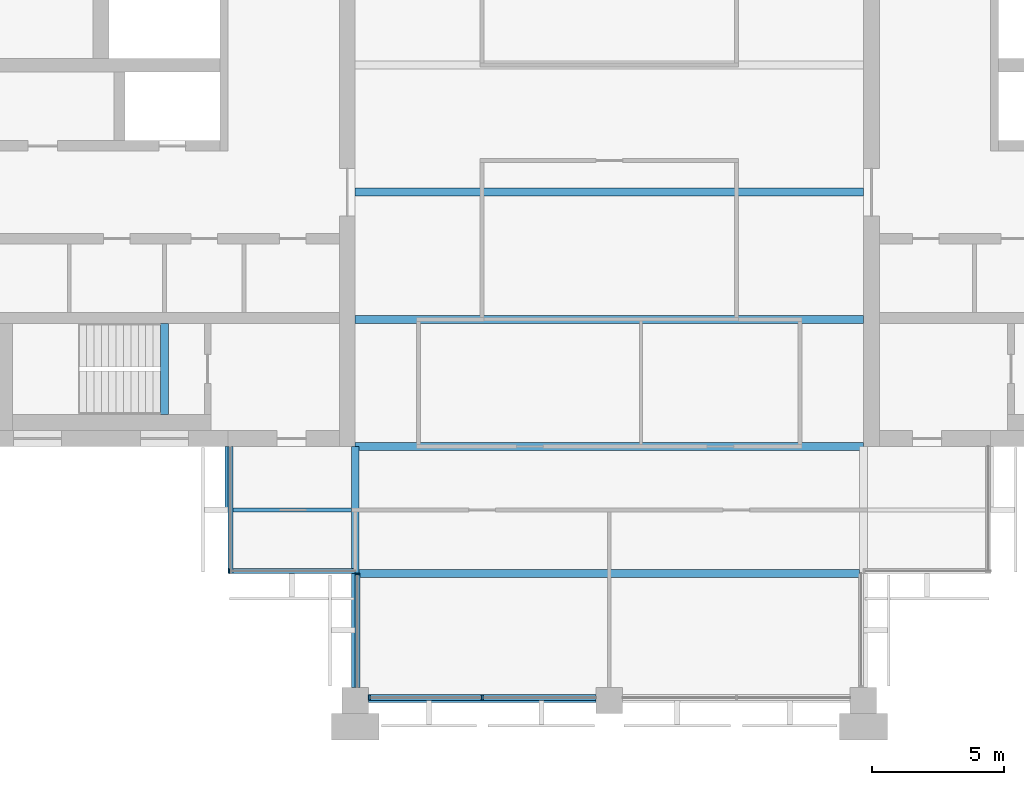
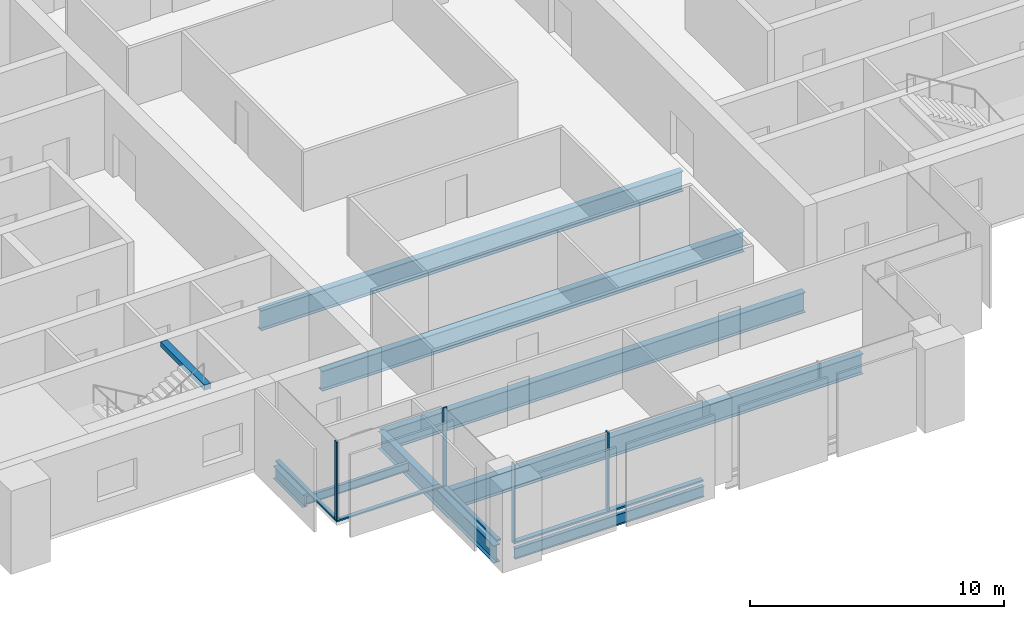
# One storey, part 2 of 13: 9 beams, 8 members, 4 elements without a shape of their own.
"""IFC4 building model written with IfcOpenShell, lengths in metres."""

from ifc_helpers import new_model, si_unit, direction, frame, origin, origin_2d, place, context, subcontext, project, spatial, rectangle, i_section, extrude, material, material_profile, profile_set, type_object, element, aggregate, save


model = new_model("IFC4")

# Units and contexts
model_context = context("Model", 3, precision=1e-05, world=origin(), true_north=direction((0.0, 1.0)))
body_context = subcontext(model_context, "Body", "Model", "MODEL_VIEW")
ifc_project = project(units=[si_unit("LENGTHUNIT", "METRE"), si_unit("AREAUNIT", "SQUARE_METRE"), si_unit("VOLUMEUNIT", "CUBIC_METRE"), si_unit("PLANEANGLEUNIT", "RADIAN"), si_unit("MASSUNIT", "GRAM", prefix="KILO")], contexts=[model_context])

# Site, building, storey
site_placement = place(None, origin())
site = spatial("IfcSite", under=ifc_project, at=site_placement, CompositionType="ELEMENT")
building_placement = place(site_placement, origin())
building = spatial("IfcBuilding", under=site, at=building_placement, Name="Baori Bourse Tower", CompositionType="ELEMENT")
storey_placement = place(building_placement, frame((0.0, 0.0, 346.300048828125)))
storey = spatial("IfcBuildingStorey", under=building, at=storey_placement, Name="L77", CompositionType="ELEMENT", Elevation=346.300048828125)

# Curtain wall, member
ifc_material_1 = material(Name="Pale anodised aluminium", Category="aluminium")
curtain_wall_type_1 = type_object("IfcCurtainWallType", Name="CW2 Curtain wall", PredefinedType="NOTDEFINED", material=ifc_material_1)
curtain_wall_1_placement = place(storey_placement, origin())
curtain_wall_1 = element("IfcCurtainWall", 1, at=curtain_wall_1_placement, inside=storey, type_object=curtain_wall_type_1, Name="Curtain wall CW2 L77 9", PredefinedType="NOTDEFINED")
ifc_material_2 = material(Name="Pale anodised aluminium", Category="aluminium")
ifc_material_profile_1 = material_profile(ifc_material_2, rectangle(XDim=0.179931640625, YDim=0.054931640625, at=origin_2d()), Name="Mullion 55x180")
ifc_profile_set_1 = profile_set([ifc_material_profile_1], Name="Pale anodised aluminium")
member_type_1 = type_object("IfcMemberType", Name="CW2 Curtain wall mullion", PredefinedType="MULLION", material=ifc_profile_set_1)
member_1_placement = place(storey_placement, frame((14.427490234375, 4.889892578125, 0.070068359375), z_axis=(0.0, 0.0, 1.0), x_axis=(0.0, 1.0, 0.0)))
member_1 = element("IfcMember", 2, at=member_1_placement, type_object=member_type_1, Name="Curtain wall CW2 mullion", PredefinedType="MULLION", context=body_context, shape_type="SweptSolid", body=[
    extrude(rectangle(XDim=0.179931640625, YDim=0.054931640625, at=origin_2d()), origin(), (0.0, 0.0, 1.0), 3.769775390625),
])

curtain_wall_2_placement = place(storey_placement, origin())
curtain_wall_2 = element("IfcCurtainWall", 3, at=curtain_wall_2_placement, inside=storey, type_object=curtain_wall_type_1, Name="Curtain wall CW2 L77 10", PredefinedType="NOTDEFINED")
member_2_placement = place(storey_placement, frame((19.2900390625, 4.7724609375, 0.070068359375), z_axis=(0.0, 0.0, 1.0), x_axis=(1.0, 0.0, 0.0)))
member_2 = element("IfcMember", 4, at=member_2_placement, type_object=member_type_1, Name="Curtain wall CW2 mullion", PredefinedType="MULLION", context=body_context, shape_type="SweptSolid", body=[
    extrude(rectangle(XDim=0.179931640625, YDim=0.054931640625, at=origin_2d()), origin(), (0.0, 0.0, 1.0), 3.769775390625),
])

curtain_wall_3_placement = place(storey_placement, origin())
curtain_wall_3 = element("IfcCurtainWall", 5, at=curtain_wall_3_placement, inside=storey, type_object=curtain_wall_type_1, Name="Curtain wall CW2 L77 8", PredefinedType="NOTDEFINED")
ifc_material_3 = material(Name="Pale anodised aluminium", Category="aluminium")
ifc_material_profile_2 = material_profile(ifc_material_3, rectangle(XDim=0.179931640625, YDim=0.070068359375, at=origin_2d()), Name="Transom 70x180")
ifc_profile_set_2 = profile_set([ifc_material_profile_2], Name="Pale anodised aluminium")
member_type_2 = type_object("IfcMemberType", Name="CW2 Curtain wall transom", PredefinedType="USERDEFINED", material=ifc_profile_set_2)
member_3_placement = place(storey_placement, frame((14.489990234375, 9.60009765625, 0.034912109375), z_axis=(0.0, -1.0, 0.0), x_axis=(1.0, 0.0, 0.0)))
member_3 = element("IfcMember", 6, at=member_3_placement, type_object=member_type_2, Name="Curtain wall CW2 sill rail", ObjectType="TRANSOM", PredefinedType="USERDEFINED", context=body_context, shape_type="SweptSolid", body=[
    extrude(rectangle(XDim=0.179931640625, YDim=0.070068359375, at=origin_2d()), origin(), (0.0, 0.0, 1.0), 4.800048828125),
])
aggregate(curtain_wall_3, [member_3])

# Member
member_4_placement = place(storey_placement, frame((14.39990234375, 4.889892578125, 0.034912109375), z_axis=(1.0, 0.0, 0.0), x_axis=(0.0, 1.0, 0.0)))
member_4 = element("IfcMember", 7, at=member_4_placement, type_object=member_type_2, Name="Curtain wall CW2 sill rail", ObjectType="TRANSOM", PredefinedType="USERDEFINED", context=body_context, shape_type="SweptSolid", body=[
    extrude(rectangle(XDim=0.179931640625, YDim=0.070068359375, at=origin_2d()), origin(), (0.0, 0.0, 1.0), 4.800048828125),
])

aggregate(curtain_wall_1, [member_4, member_1])

member_5_placement = place(storey_placement, frame((19.2900390625, 4.800048828125, 0.034912109375), z_axis=(0.0, -1.0, 0.0), x_axis=(1.0, 0.0, 0.0)))
member_5 = element("IfcMember", 8, at=member_5_placement, type_object=member_type_2, Name="Curtain wall CW2 sill rail", ObjectType="TRANSOM", PredefinedType="USERDEFINED", context=body_context, shape_type="SweptSolid", body=[
    extrude(rectangle(XDim=0.179931640625, YDim=0.070068359375, at=origin_2d()), origin(), (0.0, 0.0, 1.0), 4.300048828125),
])

aggregate(curtain_wall_2, [member_5, member_2])

# Curtain wall, members
ifc_material_4 = material(Name="Pale anodised aluminium", Category="aluminium")
curtain_wall_type_2 = type_object("IfcCurtainWallType", Name="CW5 Curtain wall", PredefinedType="NOTDEFINED", material=ifc_material_4)
curtain_wall_4_placement = place(storey_placement, origin())
curtain_wall_4 = element("IfcCurtainWall", 9, at=curtain_wall_4_placement, inside=storey, type_object=curtain_wall_type_2, Name="Curtain wall CW5 L77 11", PredefinedType="NOTDEFINED")
ifc_material_5 = material(Name="Pale anodised aluminium", Category="aluminium")
ifc_material_profile_3 = material_profile(ifc_material_5, rectangle(XDim=0.219970703125, YDim=0.06494140625, at=origin_2d()), Name="Mullion 65x220")
ifc_profile_set_3 = profile_set([ifc_material_profile_3], Name="Pale anodised aluminium")
member_type_3 = type_object("IfcMemberType", Name="CW5 Curtain wall mullion", PredefinedType="MULLION", material=ifc_profile_set_3)
member_6_placement = place(storey_placement, frame((19.732421875, 0.110107421875, 0.0849609375), z_axis=(0.0, 0.0, 1.0), x_axis=(0.0, 1.0, 0.0)))
member_6 = element("IfcMember", 10, at=member_6_placement, type_object=member_type_3, Name="Curtain wall CW5 mullion", PredefinedType="MULLION", context=body_context, shape_type="SweptSolid", body=[
    extrude(rectangle(XDim=0.219970703125, YDim=0.06494140625, at=origin_2d()), origin(), (0.0, 0.0, 1.0), 3.7548828125),
])
member_7_placement = place(storey_placement, frame((24.0, 0.110107421875, 0.0849609375), z_axis=(0.0, 0.0, 1.0), x_axis=(0.0, 1.0, 0.0)))
member_7 = element("IfcMember", 11, at=member_7_placement, type_object=member_type_3, Name="Curtain wall CW5 mullion", PredefinedType="MULLION", context=body_context, shape_type="SweptSolid", body=[
    extrude(rectangle(XDim=0.219970703125, YDim=0.06494140625, at=origin_2d()), origin(), (0.0, 0.0, 1.0), 3.7548828125),
])
ifc_material_6 = material(Name="Pale anodised aluminium", Category="aluminium")
ifc_material_profile_4 = material_profile(ifc_material_6, rectangle(XDim=0.219970703125, YDim=0.0849609375, at=origin_2d()), Name="Transom 85x220")
ifc_profile_set_4 = profile_set([ifc_material_profile_4], Name="Pale anodised aluminium")
member_type_4 = type_object("IfcMemberType", Name="CW5 Curtain wall transom", PredefinedType="USERDEFINED", material=ifc_profile_set_4)
member_8_placement = place(storey_placement, frame((19.699951171875, 0.110107421875, 0.04248046875), z_axis=(1.0, 0.0, 0.0), x_axis=(0.0, 1.0, 0.0)))
member_8 = element("IfcMember", 12, at=member_8_placement, type_object=member_type_4, Name="Curtain wall CW5 sill rail", ObjectType="TRANSOM", PredefinedType="USERDEFINED", context=body_context, shape_type="SweptSolid", body=[
    extrude(rectangle(XDim=0.219970703125, YDim=0.0849609375, at=origin_2d()), origin(), (0.0, 0.0, 1.0), 8.60009765625),
])
aggregate(curtain_wall_4, [member_8, member_6, member_7])

# Beams
ifc_material_7 = material(Name="Steel A992 Gr 50", Category="steel")
ifc_material_profile_5 = material_profile(ifc_material_7, i_section(OverallWidth=0.227783203125, OverallDepth=0.60205078125, WebThickness=0.010498046875, FlangeThickness=0.014892578125, at=origin_2d()), Name="W24x68")
ifc_profile_set_5 = profile_set([ifc_material_profile_5], Name="Steel A992 Gr 50")
beam_type_1 = type_object("IfcBeamType", Name="Core bracket W24x68", PredefinedType="BEAM", material=ifc_profile_set_5)
beam_1_placement = place(storey_placement, frame((14.39990234375, 7.270263671875, -0.4609375), z_axis=(0.0, 1.0, 0.0), x_axis=(-1.0, 0.0, 0.0)))
element("IfcBeam", 13, at=beam_1_placement, inside=storey, type_object=beam_type_1, Name="Core bracket L77", PredefinedType="BEAM", context=body_context, shape_type="SweptSolid", body=[
    extrude(i_section(OverallWidth=0.227783203125, OverallDepth=0.60205078125, WebThickness=0.010498046875, FlangeThickness=0.014892578125, at=origin_2d()), origin(), (0.0, 0.0, 1.0), 2.329833984375),
])
ifc_material_8 = material(Name="Steel A992 Gr 50", Category="steel")
ifc_material_profile_6 = material_profile(ifc_material_8, i_section(OverallWidth=0.1650390625, OverallDepth=0.52587890625, WebThickness=0.0087890625, FlangeThickness=0.011474609375, at=origin_2d()), Name="W21x44")
ifc_profile_set_6 = profile_set([ifc_material_profile_6], Name="Steel A992 Gr 50")
beam_type_2 = type_object("IfcBeamType", Name="Edge beam W21x44", PredefinedType="BEAM", material=ifc_profile_set_6)
beam_2_placement = place(storey_placement, frame((19.699951171875, 0.0, -0.4228515625), z_axis=(1.0, 0.0, 0.0), x_axis=(0.0, 1.0, 0.0)))
element("IfcBeam", 14, at=beam_2_placement, inside=storey, type_object=beam_type_2, Name="Edge beam L77", PredefinedType="BEAM", context=body_context, shape_type="SweptSolid", body=[
    extrude(i_section(OverallWidth=0.1650390625, OverallDepth=0.52587890625, WebThickness=0.0087890625, FlangeThickness=0.011474609375, at=origin_2d()), origin(), (0.0, 0.0, 1.0), 8.60009765625),
])
ifc_material_9 = material(Name="Steel A992 Gr 50", Category="steel")
ifc_material_profile_7 = material_profile(ifc_material_9, i_section(OverallWidth=0.2998046875, OverallDepth=0.97021484375, WebThickness=0.01611328125, FlangeThickness=0.02099609375, at=origin_2d()), Name="W40x149")
ifc_profile_set_7 = profile_set([ifc_material_profile_7], Name="Steel A992 Gr 50")
beam_type_3 = type_object("IfcBeamType", Name="Floor beam W40x149", PredefinedType="BEAM", material=ifc_profile_set_7)
beam_3_placement = place(storey_placement, frame((19.345947265625, 4.800048828125, -0.645263671875), z_axis=(1.0, 0.0, 0.0), x_axis=(0.0, 1.0, 0.0)))
element("IfcBeam", 15, at=beam_3_placement, inside=storey, type_object=beam_type_3, Name="Floor beam L77", PredefinedType="BEAM", context=body_context, shape_type="SweptSolid", body=[
    extrude(i_section(OverallWidth=0.2998046875, OverallDepth=0.97021484375, WebThickness=0.01611328125, FlangeThickness=0.02099609375, at=origin_2d()), origin(), (0.0, 0.0, 1.0), 18.907958984375),
])
for number, where, z_axis, x_axis, name in (
    (16, (19.199951171875, 9.60009765625, -0.645263671875), (1.0, 0.0, 0.0), (0.0, 1.0, 0.0), "Floor beam L77"),
    (17, (19.199951171875, 14.39990234375, -0.645263671875), (1.0, 0.0, 0.0), (0.0, 1.0, 0.0), "Floor beam L77"),
    (18, (19.199951171875, 19.199951171875, -0.645263671875), (1.0, 0.0, 0.0), (0.0, 1.0, 0.0), "Floor beam L77"),
):
    element("IfcBeam", number, at=place(storey_placement, frame(where, z_axis=z_axis, x_axis=x_axis)), inside=storey, type_object=beam_type_3, Name=name, PredefinedType="BEAM", context=body_context, shape_type="SweptSolid", body=[
        extrude(i_section(OverallWidth=0.2998046875, OverallDepth=0.97021484375, WebThickness=0.01611328125, FlangeThickness=0.02099609375, at=origin_2d()), origin(), (0.0, 0.0, 1.0), 19.199951171875),
    ])
ifc_material_10 = material(Name="Steel A992 Gr 50", Category="steel")
ifc_material_profile_8 = material_profile(ifc_material_10, i_section(OverallWidth=0.2919921875, OverallDepth=0.835693359375, WebThickness=0.013916015625, FlangeThickness=0.018798828125, at=origin_2d()), Name="W33x118")
ifc_profile_set_8 = profile_set([ifc_material_profile_8], Name="Steel A992 Gr 50")
beam_type_4 = type_object("IfcBeamType", Name="Girder W33x118", PredefinedType="BEAM", material=ifc_profile_set_8)
beam_4_placement = place(storey_placement, frame((19.199951171875, 0.5, -0.577880859375), z_axis=(0.0, 1.0, 0.0), x_axis=(-1.0, 0.0, 0.0)))
element("IfcBeam", 19, at=beam_4_placement, inside=storey, type_object=beam_type_4, Name="Girder L77", PredefinedType="BEAM", context=body_context, shape_type="SweptSolid", body=[
    extrude(i_section(OverallWidth=0.2919921875, OverallDepth=0.835693359375, WebThickness=0.013916015625, FlangeThickness=0.018798828125, at=origin_2d()), origin(), (0.0, 0.0, 1.0), 9.10009765625),
])
ifc_material_11 = material(Name="Concrete f'c 50 MPa", Category="concrete")
ifc_material_profile_9 = material_profile(ifc_material_11, rectangle(XDim=0.300048828125, YDim=0.25, at=origin_2d()), Name="RC 300x250")
ifc_profile_set_9 = profile_set([ifc_material_profile_9], Name="Concrete f'c 50 MPa")
beam_type_5 = type_object("IfcBeamType", Name="Stair nib beam RC 300x250", PredefinedType="BEAM", material=ifc_profile_set_9)
beam_5_placement = place(storey_placement, frame((12.0, 10.800048828125, 3.71484375), z_axis=(0.0, 1.0, 0.0), x_axis=(-1.0, 0.0, 0.0)))
element("IfcBeam", 20, at=beam_5_placement, inside=storey, type_object=beam_type_5, Name="Stair WA nib beam L78", PredefinedType="BEAM", context=body_context, shape_type="SweptSolid", body=[
    extrude(rectangle(XDim=0.300048828125, YDim=0.25, at=origin_2d()), origin(), (0.0, 0.0, 1.0), 3.449951171875),
])
ifc_material_12 = material(Name="Steel A992 Gr 50", Category="steel")
ifc_material_profile_10 = material_profile(ifc_material_12, i_section(OverallWidth=0.140380859375, OverallDepth=0.40380859375, WebThickness=0.007080078125, FlangeThickness=0.01123046875, at=origin_2d()), Name="W16x31")
ifc_profile_set_10 = profile_set([ifc_material_profile_10], Name="Steel A992 Gr 50")
beam_type_6 = type_object("IfcBeamType", Name="Trimmer beam W16x31", PredefinedType="BEAM", material=ifc_profile_set_10)
beam_6_placement = place(storey_placement, frame((14.39990234375, 7.199951171875, -0.362060546875), z_axis=(1.0, 0.0, 0.0), x_axis=(0.0, 1.0, 0.0)))
element("IfcBeam", 21, at=beam_6_placement, inside=storey, type_object=beam_type_6, Name="Trimmer beam L77", PredefinedType="BEAM", context=body_context, shape_type="SweptSolid", body=[
    extrude(i_section(OverallWidth=0.140380859375, OverallDepth=0.40380859375, WebThickness=0.007080078125, FlangeThickness=0.01123046875, at=origin_2d()), origin(), (0.0, 0.0, 1.0), 4.654052734375),
])

save(model, "model.ifc")
